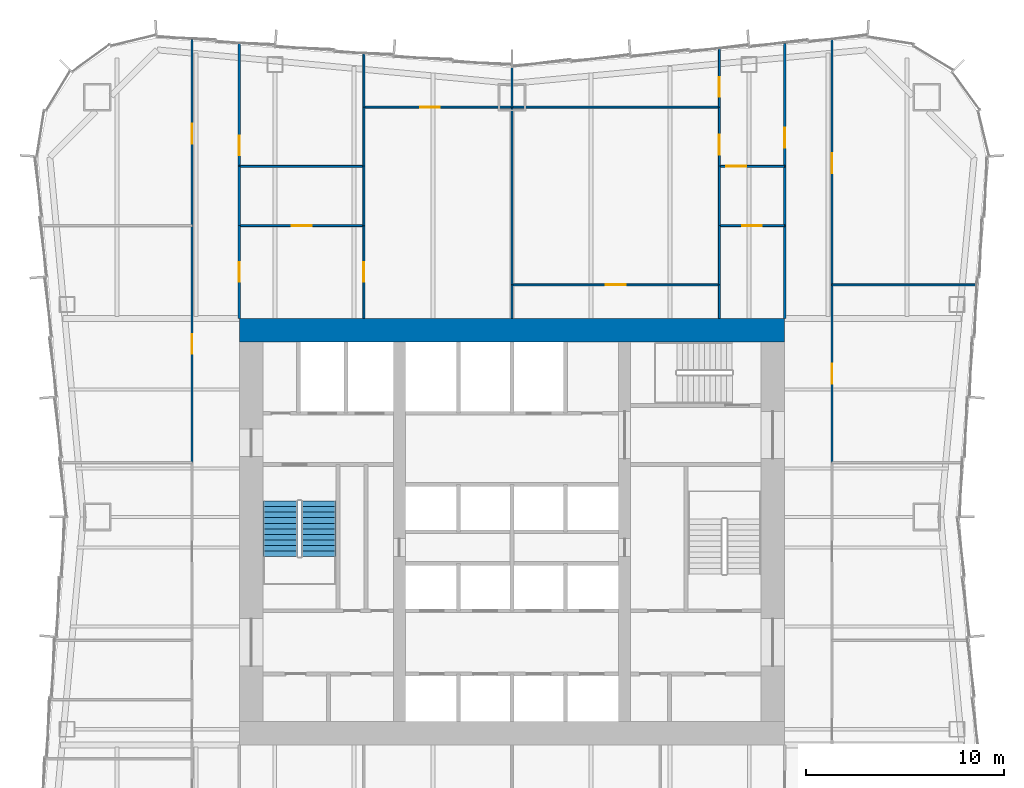
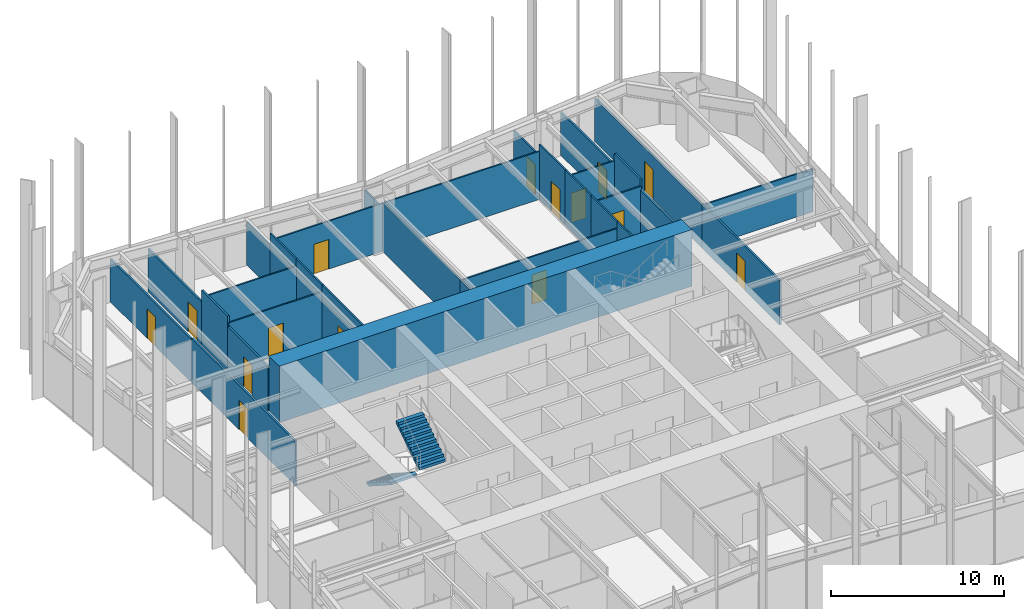
# One storey, part 11 of 13: 31 walls, 15 doors, 2 stair flights, 15 openings, 1 element without a shape of its own.
"""IFC4 building model written with IfcOpenShell, lengths in metres."""

from ifc_helpers import new_model, si_unit, direction, frame, frame_2d, origin, place, context, subcontext, project, spatial, polyline, rectangle, outline, extrude, material, layer, layer_set, type_object, element, fill, aggregate, save


model = new_model("IFC4")

# Units and contexts
model_context = context("Model", 3, precision=1e-05, world=origin(), true_north=direction((0.0, 1.0)))
body_context = subcontext(model_context, "Body", "Model", "MODEL_VIEW")
ifc_project = project(units=[si_unit("LENGTHUNIT", "METRE"), si_unit("AREAUNIT", "SQUARE_METRE"), si_unit("VOLUMEUNIT", "CUBIC_METRE"), si_unit("PLANEANGLEUNIT", "RADIAN"), si_unit("MASSUNIT", "GRAM", prefix="KILO")], contexts=[model_context])

# Site, building, storey
site_placement = place(None, origin())
site = spatial("IfcSite", under=ifc_project, at=site_placement, CompositionType="ELEMENT")
building_placement = place(site_placement, origin())
building = spatial("IfcBuilding", under=site, at=building_placement, Name="Verdant Reach Tower", CompositionType="ELEMENT")
storey_placement = place(building_placement, frame((0.0, 0.0, 94.0)))
storey = spatial("IfcBuildingStorey", under=building, at=storey_placement, Name="L21", CompositionType="ELEMENT", Elevation=94.0)

# Wall
ifc_material_1 = material(Name="Gypsum board on steel studs", Category="steel")
ifc_layer_1 = layer(ifc_material_1, 0.10009765625)
ifc_layer_set_1 = layer_set([ifc_layer_1], Name="FL-W1 Partition 100")
wall_type_1 = type_object("IfcWallType", Name="FL-W1 Partition 100", PredefinedType="PARTITIONING", material=ifc_layer_set_1)
wall_1_placement = place(storey_placement, frame((23.5458984375, 40.5, 0.0), z_axis=(0.0, 0.0, 1.0), x_axis=(-1.0, 0.0, 0.0)))
element("IfcWall", 1, at=wall_1_placement, inside=storey, type_object=wall_type_1, Name="Partition 21.34", PredefinedType="PARTITIONING", context=body_context, shape_type="SweptSolid", body=[
    extrude(rectangle(XDim=7.345947265625, YDim=0.10009765625, at=frame_2d((3.6728515625, 0.0))), origin(), (0.0, 0.0, 1.0), 3.0400390625),
])

# Wall, opening, door
wall_2_placement = place(storey_placement, frame((-13.800048828125, 43.5, 0.0), z_axis=(0.0, 0.0, 1.0), x_axis=(1.0, 0.0, 0.0)))
wall_2 = element("IfcWall", 2, at=wall_2_placement, inside=storey, type_object=wall_type_1, Name="Partition 21.48", PredefinedType="PARTITIONING", context=body_context, shape_type="SweptSolid", body=[
    extrude(rectangle(XDim=6.300048828125, YDim=0.10009765625, at=frame_2d((3.14990234375, 0.0))), origin(), (0.0, 0.0, 1.0), 3.389892578125),
])
opening_1_placement = place(wall_2_placement, frame((2.64990234375, 0.0, 0.0)))
opening_1 = element("IfcOpeningElement", 3, at=opening_1_placement, cuts=wall_2, Name="Opening D3", PredefinedType="OPENING", context=body_context, shape_type="SweptSolid", body=[
    extrude(rectangle(XDim=1.0, YDim=2.10009765625, at=frame_2d((0.5, 1.050048828125))), frame((0.0, 0.06005859375, 0.0), z_axis=(0.0, -1.0, 0.0), x_axis=(1.0, 0.0, 0.0)), (0.0, 0.0, 1.0), 0.1201171875),
])
ifc_material_2 = material(Name="Painted timber door leaf", Category="wood")
door_type_1 = type_object("IfcDoorType", Name="FL-D3 Door 1000x2100", OperationType="NOTDEFINED", PredefinedType="DOOR", material=ifc_material_2)
door_1_placement = place(opening_1_placement, origin())
door_1 = element("IfcDoor", 4, at=door_1_placement, inside=storey, type_object=door_type_1, Name="Door 21-025", OperationType="SINGLE_SWING_LEFT", OverallHeight=2.10009765625, OverallWidth=1.0, PredefinedType="DOOR", context=body_context, shape_type="SweptSolid", body=[
    extrude(rectangle(XDim=1.0, YDim=2.10009765625, at=frame_2d((0.5, 1.050048828125))), frame((0.0, 0.02490234375, 0.0), z_axis=(0.0, -1.0, 0.0), x_axis=(1.0, 0.0, 0.0)), (0.0, 0.0, 1.0), 0.050048828125),
])
fill(opening_1, door_1)

wall_3_placement = place(storey_placement, frame((-7.5, 43.50390625, 0.0), z_axis=(0.0, 0.0, 1.0), x_axis=(0.0, -1.0, 0.0)))
wall_3 = element("IfcWall", 5, at=wall_3_placement, inside=storey, type_object=wall_type_1, Name="Partition 21.49", PredefinedType="PARTITIONING", context=body_context, shape_type="SweptSolid", body=[
    extrude(rectangle(XDim=4.703857421875, YDim=0.10009765625, at=frame_2d((2.35205078125, 0.0))), origin(), (0.0, 0.0, 1.0), 3.8701171875),
])
opening_2_placement = place(wall_3_placement, frame((1.85205078125, 0.0, 0.0)))
opening_2 = element("IfcOpeningElement", 6, at=opening_2_placement, cuts=wall_3, Name="Opening D3", PredefinedType="OPENING", context=body_context, shape_type="SweptSolid", body=[
    extrude(rectangle(XDim=1.0, YDim=2.10009765625, at=frame_2d((0.5, 1.050048828125))), frame((0.0, 0.06005859375, 0.0), z_axis=(0.0, -1.0, 0.0), x_axis=(1.0, 0.0, 0.0)), (0.0, 0.0, 1.0), 0.1201171875),
])
door_2_placement = place(opening_2_placement, origin())
door_2 = element("IfcDoor", 7, at=door_2_placement, inside=storey, type_object=door_type_1, Name="Door 21-026", OperationType="SINGLE_SWING_RIGHT", OverallHeight=2.10009765625, OverallWidth=1.0, PredefinedType="DOOR", context=body_context, shape_type="SweptSolid", body=[
    extrude(rectangle(XDim=1.0, YDim=2.10009765625, at=frame_2d((0.5, 1.050048828125))), frame((0.0, 0.02490234375, 0.0), z_axis=(0.0, -1.0, 0.0), x_axis=(1.0, 0.0, 0.0)), (0.0, 0.0, 1.0), 0.050048828125),
])
fill(opening_2, door_2)

# Walls
wall_4_placement = place(storey_placement, frame((-7.5, 46.5, 0.0), z_axis=(0.0, 0.0, 1.0), x_axis=(-1.0, 0.0, 0.0)))
element("IfcWall", 8, at=wall_4_placement, inside=storey, type_object=wall_type_1, Name="Partition 21.50", PredefinedType="PARTITIONING", context=body_context, shape_type="SweptSolid", body=[
    extrude(rectangle(XDim=6.300048828125, YDim=0.10009765625, at=frame_2d((3.14990234375, 0.0))), origin(), (0.0, 0.0, 1.0), 3.389892578125),
])
wall_5_placement = place(storey_placement, frame((-7.5, 43.49609375, 0.0), z_axis=(0.0, 0.0, 1.0), x_axis=(0.0, 1.0, 0.0)))
element("IfcWall", 9, at=wall_5_placement, inside=storey, type_object=wall_type_1, Name="Partition 21.51", PredefinedType="PARTITIONING", context=body_context, shape_type="SweptSolid", body=[
    extrude(rectangle(XDim=3.0078125, YDim=0.10009765625, at=frame_2d((1.50390625, 0.0))), origin(), (0.0, 0.0, 1.0), 3.8701171875),
])
wall_6_placement = place(storey_placement, frame((-7.5, 46.49609375, 0.0), z_axis=(0.0, 0.0, 1.0), x_axis=(0.0, 1.0, 0.0)))
element("IfcWall", 10, at=wall_6_placement, inside=storey, type_object=wall_type_1, Name="Partition 21.52", PredefinedType="PARTITIONING", context=body_context, shape_type="SweptSolid", body=[
    extrude(rectangle(XDim=3.00390625, YDim=0.10009765625, at=frame_2d((1.501953125, 0.0))), origin(), (0.0, 0.0, 1.0), 3.8701171875),
])
wall_7_placement = place(storey_placement, frame((-7.5, 49.5, 0.0), z_axis=(0.0, 0.0, 1.0), x_axis=(0.0, 1.0, 0.0)))
element("IfcWall", 11, at=wall_7_placement, inside=storey, type_object=wall_type_1, Name="Partition 21.53", PredefinedType="PARTITIONING", context=body_context, shape_type="SweptSolid", body=[
    extrude(rectangle(XDim=2.705078125, YDim=0.10009765625, at=frame_2d((1.3525390625, 0.0))), origin(), (0.0, 0.0, 1.0), 3.0400390625),
])

# Wall, opening, door
wall_8_placement = place(storey_placement, frame((-7.5, 49.5, 0.0), z_axis=(0.0, 0.0, 1.0), x_axis=(1.0, 0.0, 0.0)))
wall_8 = element("IfcWall", 12, at=wall_8_placement, inside=storey, type_object=wall_type_1, Name="Partition 21.54", PredefinedType="PARTITIONING", context=body_context, shape_type="SweptSolid", body=[
    extrude(rectangle(XDim=7.5, YDim=0.10009765625, at=frame_2d((3.75, 0.0))), origin(), (0.0, 0.0, 1.0), 3.389892578125),
])
opening_3_placement = place(wall_8_placement, frame((2.85009765625, 0.0, 0.0)))
opening_3 = element("IfcOpeningElement", 13, at=opening_3_placement, cuts=wall_8, Name="Opening D3", PredefinedType="OPENING", context=body_context, shape_type="SweptSolid", body=[
    extrude(rectangle(XDim=1.0, YDim=2.10009765625, at=frame_2d((0.5, 1.050048828125))), frame((0.0, 0.06005859375, 0.0), z_axis=(0.0, -1.0, 0.0), x_axis=(1.0, 0.0, 0.0)), (0.0, 0.0, 1.0), 0.1201171875),
])
door_3_placement = place(opening_3_placement, origin())
door_3 = element("IfcDoor", 14, at=door_3_placement, inside=storey, type_object=door_type_1, Name="Door 21-027", OperationType="SINGLE_SWING_LEFT", OverallHeight=2.10009765625, OverallWidth=1.0, PredefinedType="DOOR", context=body_context, shape_type="SweptSolid", body=[
    extrude(rectangle(XDim=1.0, YDim=2.10009765625, at=frame_2d((0.5, 1.050048828125))), frame((0.0, 0.02490234375, 0.0), z_axis=(0.0, -1.0, 0.0), x_axis=(1.0, 0.0, 0.0)), (0.0, 0.0, 1.0), 0.050048828125),
])
fill(opening_3, door_3)

# Walls
wall_9_placement = place(storey_placement, frame((0.0, 38.800048828125, 0.0), z_axis=(0.0, 0.0, 1.0), x_axis=(0.0, 1.0, 0.0)))
element("IfcWall", 15, at=wall_9_placement, inside=storey, type_object=wall_type_1, Name="Partition 21.55", PredefinedType="PARTITIONING", context=body_context, shape_type="SweptSolid", body=[
    extrude(rectangle(XDim=1.699951171875, YDim=0.10009765625, at=frame_2d((0.85009765625, 0.0))), origin(), (0.0, 0.0, 1.0), 3.43994140625),
])
wall_10_placement = place(storey_placement, frame((0.0, 40.5, 0.0), z_axis=(0.0, 0.0, 1.0), x_axis=(0.0, 1.0, 0.0)))
element("IfcWall", 16, at=wall_10_placement, inside=storey, type_object=wall_type_1, Name="Partition 21.56", PredefinedType="PARTITIONING", context=body_context, shape_type="SweptSolid", body=[
    extrude(rectangle(XDim=9.0, YDim=0.10009765625, at=frame_2d((4.5, 0.0))), origin(), (0.0, 0.0, 1.0), 3.43994140625),
])
wall_11_placement = place(storey_placement, frame((0.0, 49.5, 0.0), z_axis=(0.0, 0.0, 1.0), x_axis=(0.0, 1.0, 0.0)))
element("IfcWall", 17, at=wall_11_placement, inside=storey, type_object=wall_type_1, Name="Partition 21.57", PredefinedType="PARTITIONING", context=body_context, shape_type="SweptSolid", body=[
    extrude(rectangle(XDim=2.080078125, YDim=0.10009765625, at=frame_2d((1.0400390625, 0.0))), origin(), (0.0, 0.0, 1.0), 3.0400390625),
])

# Wall, opening, door
wall_12_placement = place(storey_placement, frame((13.800048828125, 43.5, 0.0), z_axis=(0.0, 0.0, 1.0), x_axis=(-1.0, 0.0, 0.0)))
wall_12 = element("IfcWall", 18, at=wall_12_placement, inside=storey, type_object=wall_type_1, Name="Partition 21.58", PredefinedType="PARTITIONING", context=body_context, shape_type="SweptSolid", body=[
    extrude(rectangle(XDim=3.300048828125, YDim=0.10009765625, at=frame_2d((1.64990234375, 0.0))), origin(), (0.0, 0.0, 1.0), 3.389892578125),
])
opening_4_placement = place(wall_12_placement, frame((1.14990234375, 0.0, 0.0)))
opening_4 = element("IfcOpeningElement", 19, at=opening_4_placement, cuts=wall_12, Name="Opening D3", PredefinedType="OPENING", context=body_context, shape_type="SweptSolid", body=[
    extrude(rectangle(XDim=1.0, YDim=2.10009765625, at=frame_2d((0.5, 1.050048828125))), frame((0.0, 0.06005859375, 0.0), z_axis=(0.0, -1.0, 0.0), x_axis=(1.0, 0.0, 0.0)), (0.0, 0.0, 1.0), 0.1201171875),
])
door_4_placement = place(opening_4_placement, origin())
door_4 = element("IfcDoor", 20, at=door_4_placement, inside=storey, type_object=door_type_1, Name="Door 21-028", OperationType="SINGLE_SWING_RIGHT", OverallHeight=2.10009765625, OverallWidth=1.0, PredefinedType="DOOR", context=body_context, shape_type="SweptSolid", body=[
    extrude(rectangle(XDim=1.0, YDim=2.10009765625, at=frame_2d((0.5, 1.050048828125))), frame((0.0, 0.02490234375, 0.0), z_axis=(0.0, -1.0, 0.0), x_axis=(1.0, 0.0, 0.0)), (0.0, 0.0, 1.0), 0.050048828125),
])
fill(opening_4, door_4)

# Walls
wall_13_placement = place(storey_placement, frame((10.5, 40.5, 0.0), z_axis=(0.0, 0.0, 1.0), x_axis=(0.0, -1.0, 0.0)))
element("IfcWall", 21, at=wall_13_placement, inside=storey, type_object=wall_type_1, Name="Partition 21.59", PredefinedType="PARTITIONING", context=body_context, shape_type="SweptSolid", body=[
    extrude(rectangle(XDim=1.699951171875, YDim=0.10009765625, at=frame_2d((0.85009765625, 0.0))), origin(), (0.0, 0.0, 1.0), 3.8701171875),
])
wall_14_placement = place(storey_placement, frame((10.5, 43.50390625, 0.0), z_axis=(0.0, 0.0, 1.0), x_axis=(0.0, -1.0, 0.0)))
element("IfcWall", 22, at=wall_14_placement, inside=storey, type_object=wall_type_1, Name="Partition 21.60", PredefinedType="PARTITIONING", context=body_context, shape_type="SweptSolid", body=[
    extrude(rectangle(XDim=3.00390625, YDim=0.10009765625, at=frame_2d((1.501953125, 0.0))), origin(), (0.0, 0.0, 1.0), 3.8701171875),
])

# Wall, opening, door
wall_15_placement = place(storey_placement, frame((13.800048828125, 46.5, 0.0), z_axis=(0.0, 0.0, 1.0), x_axis=(-1.0, 0.0, 0.0)))
wall_15 = element("IfcWall", 23, at=wall_15_placement, inside=storey, type_object=wall_type_1, Name="Partition 21.61", PredefinedType="PARTITIONING", context=body_context, shape_type="SweptSolid", body=[
    extrude(rectangle(XDim=3.300048828125, YDim=0.10009765625, at=frame_2d((1.64990234375, 0.0))), origin(), (0.0, 0.0, 1.0), 3.389892578125),
])
opening_5_placement = place(wall_15_placement, frame((1.949951171875, 0.0, 0.0)))
opening_5 = element("IfcOpeningElement", 24, at=opening_5_placement, cuts=wall_15, Name="Opening D3", PredefinedType="OPENING", context=body_context, shape_type="SweptSolid", body=[
    extrude(rectangle(XDim=1.0, YDim=2.10009765625, at=frame_2d((0.5, 1.050048828125))), frame((0.0, 0.06005859375, 0.0), z_axis=(0.0, -1.0, 0.0), x_axis=(1.0, 0.0, 0.0)), (0.0, 0.0, 1.0), 0.1201171875),
])
door_5_placement = place(opening_5_placement, origin())
door_5 = element("IfcDoor", 25, at=door_5_placement, inside=storey, type_object=door_type_1, Name="Door 21-029", OperationType="SINGLE_SWING_RIGHT", OverallHeight=2.10009765625, OverallWidth=1.0, PredefinedType="DOOR", context=body_context, shape_type="SweptSolid", body=[
    extrude(rectangle(XDim=1.0, YDim=2.10009765625, at=frame_2d((0.5, 1.050048828125))), frame((0.0, 0.02490234375, 0.0), z_axis=(0.0, -1.0, 0.0), x_axis=(1.0, 0.0, 0.0)), (0.0, 0.0, 1.0), 0.050048828125),
])
fill(opening_5, door_5)

# Wall
wall_16_placement = place(storey_placement, frame((10.5, 46.50390625, 0.0), z_axis=(0.0, 0.0, 1.0), x_axis=(0.0, -1.0, 0.0)))
element("IfcWall", 26, at=wall_16_placement, inside=storey, type_object=wall_type_1, Name="Partition 21.62", PredefinedType="PARTITIONING", context=body_context, shape_type="SweptSolid", body=[
    extrude(rectangle(XDim=3.0078125, YDim=0.10009765625, at=frame_2d((1.50390625, 0.0))), origin(), (0.0, 0.0, 1.0), 3.8701171875),
])

# Wall, opening, door
wall_17_placement = place(storey_placement, frame((10.5, 46.49609375, 0.0), z_axis=(0.0, 0.0, 1.0), x_axis=(0.0, 1.0, 0.0)))
wall_17 = element("IfcWall", 27, at=wall_17_placement, inside=storey, type_object=wall_type_1, Name="Partition 21.63", PredefinedType="PARTITIONING", context=body_context, shape_type="SweptSolid", body=[
    extrude(rectangle(XDim=3.00390625, YDim=0.10009765625, at=frame_2d((1.501953125, 0.0))), origin(), (0.0, 0.0, 1.0), 3.8701171875),
])
opening_6_placement = place(wall_17_placement, frame((0.60205078125, 0.0, 0.0)))
opening_6 = element("IfcOpeningElement", 28, at=opening_6_placement, cuts=wall_17, Name="Opening D3", PredefinedType="OPENING", context=body_context, shape_type="SweptSolid", body=[
    extrude(rectangle(XDim=1.0, YDim=2.10009765625, at=frame_2d((0.5, 1.050048828125))), frame((0.0, 0.06005859375, 0.0), z_axis=(0.0, -1.0, 0.0), x_axis=(1.0, 0.0, 0.0)), (0.0, 0.0, 1.0), 0.1201171875),
])
door_6_placement = place(opening_6_placement, origin())
door_6 = element("IfcDoor", 29, at=door_6_placement, inside=storey, type_object=door_type_1, Name="Door 21-030", OperationType="SINGLE_SWING_LEFT", OverallHeight=2.10009765625, OverallWidth=1.0, PredefinedType="DOOR", context=body_context, shape_type="SweptSolid", body=[
    extrude(rectangle(XDim=1.0, YDim=2.10009765625, at=frame_2d((0.5, 1.050048828125))), frame((0.0, 0.02490234375, 0.0), z_axis=(0.0, -1.0, 0.0), x_axis=(1.0, 0.0, 0.0)), (0.0, 0.0, 1.0), 0.050048828125),
])
fill(opening_6, door_6)

wall_18_placement = place(storey_placement, frame((10.5, 49.5, 0.0), z_axis=(0.0, 0.0, 1.0), x_axis=(0.0, 1.0, 0.0)))
wall_18 = element("IfcWall", 30, at=wall_18_placement, inside=storey, type_object=wall_type_1, Name="Partition 21.64", PredefinedType="PARTITIONING", context=body_context, shape_type="SweptSolid", body=[
    extrude(rectangle(XDim=2.955078125, YDim=0.10009765625, at=frame_2d((1.4775390625, 0.0))), origin(), (0.0, 0.0, 1.0), 3.0400390625),
])
opening_7_placement = place(wall_18_placement, frame((0.512451171875, 0.0, 0.0)))
opening_7 = element("IfcOpeningElement", 31, at=opening_7_placement, cuts=wall_18, Name="Opening D3", PredefinedType="OPENING", context=body_context, shape_type="SweptSolid", body=[
    extrude(rectangle(XDim=1.0, YDim=2.10009765625, at=frame_2d((0.5, 1.050048828125))), frame((0.0, 0.06005859375, 0.0), z_axis=(0.0, -1.0, 0.0), x_axis=(1.0, 0.0, 0.0)), (0.0, 0.0, 1.0), 0.1201171875),
])
door_7_placement = place(opening_7_placement, origin())
door_7 = element("IfcDoor", 32, at=door_7_placement, inside=storey, type_object=door_type_1, Name="Door 21-031", OperationType="SINGLE_SWING_LEFT", OverallHeight=2.10009765625, OverallWidth=1.0, PredefinedType="DOOR", context=body_context, shape_type="SweptSolid", body=[
    extrude(rectangle(XDim=1.0, YDim=2.10009765625, at=frame_2d((0.5, 1.050048828125))), frame((0.0, 0.02490234375, 0.0), z_axis=(0.0, -1.0, 0.0), x_axis=(1.0, 0.0, 0.0)), (0.0, 0.0, 1.0), 0.050048828125),
])
fill(opening_7, door_7)

wall_19_placement = place(storey_placement, frame((10.5, 40.5, 0.0), z_axis=(0.0, 0.0, 1.0), x_axis=(-1.0, 0.0, 0.0)))
wall_19 = element("IfcWall", 33, at=wall_19_placement, inside=storey, type_object=wall_type_1, Name="Partition 21.65", PredefinedType="PARTITIONING", context=body_context, shape_type="SweptSolid", body=[
    extrude(rectangle(XDim=10.5, YDim=0.10009765625, at=frame_2d((5.25, 0.0))), origin(), (0.0, 0.0, 1.0), 3.389892578125),
])
opening_8_placement = place(wall_19_placement, frame((4.75, 0.0, 0.0)))
opening_8 = element("IfcOpeningElement", 34, at=opening_8_placement, cuts=wall_19, Name="Opening D3", PredefinedType="OPENING", context=body_context, shape_type="SweptSolid", body=[
    extrude(rectangle(XDim=1.0, YDim=2.10009765625, at=frame_2d((0.5, 1.050048828125))), frame((0.0, 0.06005859375, 0.0), z_axis=(0.0, -1.0, 0.0), x_axis=(1.0, 0.0, 0.0)), (0.0, 0.0, 1.0), 0.1201171875),
])
door_8_placement = place(opening_8_placement, origin())
door_8 = element("IfcDoor", 35, at=door_8_placement, inside=storey, type_object=door_type_1, Name="Door 21-032", OperationType="SINGLE_SWING_RIGHT", OverallHeight=2.10009765625, OverallWidth=1.0, PredefinedType="DOOR", context=body_context, shape_type="SweptSolid", body=[
    extrude(rectangle(XDim=1.0, YDim=2.10009765625, at=frame_2d((0.5, 1.050048828125))), frame((0.0, 0.02490234375, 0.0), z_axis=(0.0, -1.0, 0.0), x_axis=(1.0, 0.0, 0.0)), (0.0, 0.0, 1.0), 0.050048828125),
])
fill(opening_8, door_8)

# Wall
wall_20_placement = place(storey_placement, frame((10.5, 49.5, 0.0), z_axis=(0.0, 0.0, 1.0), x_axis=(-1.0, 0.0, 0.0)))
element("IfcWall", 36, at=wall_20_placement, inside=storey, type_object=wall_type_1, Name="Partition 21.66", PredefinedType="PARTITIONING", context=body_context, shape_type="SweptSolid", body=[
    extrude(rectangle(XDim=10.5, YDim=0.10009765625, at=frame_2d((5.25, 0.0))), origin(), (0.0, 0.0, 1.0), 3.389892578125),
])

# Wall, opening, door
ifc_material_3 = material(Name="Gypsum board on steel studs, fire rated", Category="steel")
ifc_layer_2 = layer(ifc_material_3, 0.125)
ifc_layer_set_2 = layer_set([ifc_layer_2], Name="FL-W2 Corridor wall 125")
wall_type_2 = type_object("IfcWallType", Name="FL-W2 Corridor wall 125", PredefinedType="PARTITIONING", material=ifc_layer_set_2)
wall_21_placement = place(storey_placement, frame((-16.199951171875, 31.5, 0.0), z_axis=(0.0, 0.0, 1.0), x_axis=(0.0, 1.0, 0.0)))
wall_21 = element("IfcWall", 37, at=wall_21_placement, inside=storey, type_object=wall_type_2, Name="Partition 21.06", PredefinedType="PARTITIONING", context=body_context, shape_type="SweptSolid", body=[
    extrude(rectangle(XDim=12.0, YDim=0.125, at=frame_2d((6.0, 0.0))), origin(), (0.0, 0.0, 1.0), 3.139892578125),
])
opening_9_placement = place(wall_21_placement, frame((5.5, 0.0, 0.0)))
opening_9 = element("IfcOpeningElement", 38, at=opening_9_placement, cuts=wall_21, Name="Opening D2", PredefinedType="OPENING", context=body_context, shape_type="SweptSolid", body=[
    extrude(rectangle(XDim=1.0, YDim=2.10009765625, at=frame_2d((0.5, 1.050048828125))), frame((0.0, 0.072509765625, 0.0), z_axis=(0.0, -1.0, 0.0), x_axis=(1.0, 0.0, 0.0)), (0.0, 0.0, 1.0), 0.14501953125),
])
ifc_material_4 = material(Name="Timber door leaf, fire rated", Category="wood")
door_type_2 = type_object("IfcDoorType", Name="FL-D2 Entrance door 1000x2100 FD30", OperationType="NOTDEFINED", PredefinedType="DOOR", material=ifc_material_4)
door_9_placement = place(opening_9_placement, origin())
door_9 = element("IfcDoor", 39, at=door_9_placement, inside=storey, type_object=door_type_2, Name="Door 21-006", OperationType="SINGLE_SWING_RIGHT", OverallHeight=2.10009765625, OverallWidth=1.0, PredefinedType="DOOR", context=body_context, shape_type="SweptSolid", body=[
    extrude(rectangle(XDim=1.0, YDim=2.10009765625, at=frame_2d((0.5, 1.050048828125))), frame((0.0, 0.02490234375, 0.0), z_axis=(0.0, -1.0, 0.0), x_axis=(1.0, 0.0, 0.0)), (0.0, 0.0, 1.0), 0.050048828125),
])
fill(opening_9, door_9)

wall_22_placement = place(storey_placement, frame((-16.199951171875, 43.5, 0.0), z_axis=(0.0, 0.0, 1.0), x_axis=(0.0, 1.0, 0.0)))
wall_22 = element("IfcWall", 40, at=wall_22_placement, inside=storey, type_object=wall_type_2, Name="Partition 21.07", PredefinedType="PARTITIONING", context=body_context, shape_type="SweptSolid", body=[
    extrude(rectangle(XDim=9.429931640625, YDim=0.125, at=frame_2d((4.71484375, 0.0))), origin(), (0.0, 0.0, 1.0), 3.0400390625),
])
opening_10_placement = place(wall_22_placement, frame((4.14990234375, 0.0, 0.0)))
opening_10 = element("IfcOpeningElement", 41, at=opening_10_placement, cuts=wall_22, Name="Opening D2", PredefinedType="OPENING", context=body_context, shape_type="SweptSolid", body=[
    extrude(rectangle(XDim=1.0, YDim=2.10009765625, at=frame_2d((0.5, 1.050048828125))), frame((0.0, 0.072509765625, 0.0), z_axis=(0.0, -1.0, 0.0), x_axis=(1.0, 0.0, 0.0)), (0.0, 0.0, 1.0), 0.14501953125),
])
door_10_placement = place(opening_10_placement, origin())
door_10 = element("IfcDoor", 42, at=door_10_placement, inside=storey, type_object=door_type_2, Name="Door 21-007", OperationType="SINGLE_SWING_LEFT", OverallHeight=2.10009765625, OverallWidth=1.0, PredefinedType="DOOR", context=body_context, shape_type="SweptSolid", body=[
    extrude(rectangle(XDim=1.0, YDim=2.10009765625, at=frame_2d((0.5, 1.050048828125))), frame((0.0, 0.02490234375, 0.0), z_axis=(0.0, -1.0, 0.0), x_axis=(1.0, 0.0, 0.0)), (0.0, 0.0, 1.0), 0.050048828125),
])
fill(opening_10, door_10)

wall_23_placement = place(storey_placement, frame((-13.800048828125, 43.5, 0.0), z_axis=(0.0, 0.0, 1.0), x_axis=(0.0, -1.0, 0.0)))
wall_23 = element("IfcWall", 43, at=wall_23_placement, inside=storey, type_object=wall_type_2, Name="Partition 21.11", PredefinedType="PARTITIONING", context=body_context, shape_type="SweptSolid", body=[
    extrude(rectangle(XDim=4.699951171875, YDim=0.125, at=frame_2d((2.35009765625, 0.0))), origin(), (0.0, 0.0, 1.0), 3.139892578125),
])
opening_11_placement = place(wall_23_placement, frame((1.85009765625, 0.0, 0.0)))
opening_11 = element("IfcOpeningElement", 44, at=opening_11_placement, cuts=wall_23, Name="Opening D2", PredefinedType="OPENING", context=body_context, shape_type="SweptSolid", body=[
    extrude(rectangle(XDim=1.0, YDim=2.10009765625, at=frame_2d((0.5, 1.050048828125))), frame((0.0, 0.072509765625, 0.0), z_axis=(0.0, -1.0, 0.0), x_axis=(1.0, 0.0, 0.0)), (0.0, 0.0, 1.0), 0.14501953125),
])
door_11_placement = place(opening_11_placement, origin())
door_11 = element("IfcDoor", 45, at=door_11_placement, inside=storey, type_object=door_type_2, Name="Door 21-009", OperationType="SINGLE_SWING_LEFT", OverallHeight=2.10009765625, OverallWidth=1.0, PredefinedType="DOOR", context=body_context, shape_type="SweptSolid", body=[
    extrude(rectangle(XDim=1.0, YDim=2.10009765625, at=frame_2d((0.5, 1.050048828125))), frame((0.0, 0.02490234375, 0.0), z_axis=(0.0, -1.0, 0.0), x_axis=(1.0, 0.0, 0.0)), (0.0, 0.0, 1.0), 0.050048828125),
])
fill(opening_11, door_11)

# Wall
wall_24_placement = place(storey_placement, frame((-13.800048828125, 43.5, 0.0), z_axis=(0.0, 0.0, 1.0), x_axis=(0.0, 1.0, 0.0)))
element("IfcWall", 46, at=wall_24_placement, inside=storey, type_object=wall_type_2, Name="Partition 21.12", PredefinedType="PARTITIONING", context=body_context, shape_type="SweptSolid", body=[
    extrude(rectangle(XDim=3.0, YDim=0.125, at=frame_2d((1.5, 0.0))), origin(), (0.0, 0.0, 1.0), 3.8701171875),
])

# Wall, opening, door
wall_25_placement = place(storey_placement, frame((-13.800048828125, 52.72998046875, 0.0), z_axis=(0.0, 0.0, 1.0), x_axis=(0.0, -1.0, 0.0)))
wall_25 = element("IfcWall", 47, at=wall_25_placement, inside=storey, type_object=wall_type_2, Name="Partition 21.13", PredefinedType="PARTITIONING", context=body_context, shape_type="SweptSolid", body=[
    extrude(rectangle(XDim=6.22998046875, YDim=0.125, at=frame_2d((3.114990234375, 0.0))), origin(), (0.0, 0.0, 1.0), 3.0400390625),
])
opening_12_placement = place(wall_25_placement, frame((4.68017578125, 0.0, 0.0)))
opening_12 = element("IfcOpeningElement", 48, at=opening_12_placement, cuts=wall_25, Name="Opening D2", PredefinedType="OPENING", context=body_context, shape_type="SweptSolid", body=[
    extrude(rectangle(XDim=1.0, YDim=2.10009765625, at=frame_2d((0.5, 1.050048828125))), frame((0.0, 0.072509765625, 0.0), z_axis=(0.0, -1.0, 0.0), x_axis=(1.0, 0.0, 0.0)), (0.0, 0.0, 1.0), 0.14501953125),
])
door_12_placement = place(opening_12_placement, origin())
door_12 = element("IfcDoor", 49, at=door_12_placement, inside=storey, type_object=door_type_2, Name="Door 21-010", OperationType="SINGLE_SWING_RIGHT", OverallHeight=2.10009765625, OverallWidth=1.0, PredefinedType="DOOR", context=body_context, shape_type="SweptSolid", body=[
    extrude(rectangle(XDim=1.0, YDim=2.10009765625, at=frame_2d((0.5, 1.050048828125))), frame((0.0, 0.02490234375, 0.0), z_axis=(0.0, -1.0, 0.0), x_axis=(1.0, 0.0, 0.0)), (0.0, 0.0, 1.0), 0.050048828125),
])
fill(opening_12, door_12)

wall_26_placement = place(storey_placement, frame((16.199951171875, 40.5, 0.0), z_axis=(0.0, 0.0, 1.0), x_axis=(0.0, -1.0, 0.0)))
wall_26 = element("IfcWall", 50, at=wall_26_placement, inside=storey, type_object=wall_type_2, Name="Partition 21.17", PredefinedType="PARTITIONING", context=body_context, shape_type="SweptSolid", body=[
    extrude(rectangle(XDim=9.0, YDim=0.125, at=frame_2d((4.5, 0.0))), origin(), (0.0, 0.0, 1.0), 3.139892578125),
])
opening_13_placement = place(wall_26_placement, frame((4.0, 0.0, 0.0)))
opening_13 = element("IfcOpeningElement", 51, at=opening_13_placement, cuts=wall_26, Name="Opening D2", PredefinedType="OPENING", context=body_context, shape_type="SweptSolid", body=[
    extrude(rectangle(XDim=1.0, YDim=2.10009765625, at=frame_2d((0.5, 1.050048828125))), frame((0.0, 0.072509765625, 0.0), z_axis=(0.0, -1.0, 0.0), x_axis=(1.0, 0.0, 0.0)), (0.0, 0.0, 1.0), 0.14501953125),
])
door_13_placement = place(opening_13_placement, origin())
door_13 = element("IfcDoor", 52, at=door_13_placement, inside=storey, type_object=door_type_2, Name="Door 21-014", OperationType="SINGLE_SWING_RIGHT", OverallHeight=2.10009765625, OverallWidth=1.0, PredefinedType="DOOR", context=body_context, shape_type="SweptSolid", body=[
    extrude(rectangle(XDim=1.0, YDim=2.10009765625, at=frame_2d((0.5, 1.050048828125))), frame((0.0, 0.02490234375, 0.0), z_axis=(0.0, -1.0, 0.0), x_axis=(1.0, 0.0, 0.0)), (0.0, 0.0, 1.0), 0.050048828125),
])
fill(opening_13, door_13)

wall_27_placement = place(storey_placement, frame((16.199951171875, 52.929931640625, 0.0), z_axis=(0.0, 0.0, 1.0), x_axis=(0.0, -1.0, 0.0)))
wall_27 = element("IfcWall", 53, at=wall_27_placement, inside=storey, type_object=wall_type_2, Name="Partition 21.18", PredefinedType="PARTITIONING", context=body_context, shape_type="SweptSolid", body=[
    extrude(rectangle(XDim=12.429931640625, YDim=0.125, at=frame_2d((6.21484375, 0.0))), origin(), (0.0, 0.0, 1.0), 3.0400390625),
])
opening_14_placement = place(wall_27_placement, frame((5.780029296875, 0.0, 0.0)))
opening_14 = element("IfcOpeningElement", 54, at=opening_14_placement, cuts=wall_27, Name="Opening D2", PredefinedType="OPENING", context=body_context, shape_type="SweptSolid", body=[
    extrude(rectangle(XDim=1.0, YDim=2.10009765625, at=frame_2d((0.5, 1.050048828125))), frame((0.0, 0.072509765625, 0.0), z_axis=(0.0, -1.0, 0.0), x_axis=(1.0, 0.0, 0.0)), (0.0, 0.0, 1.0), 0.14501953125),
])
door_14_placement = place(opening_14_placement, origin())
door_14 = element("IfcDoor", 55, at=door_14_placement, inside=storey, type_object=door_type_2, Name="Door 21-015", OperationType="SINGLE_SWING_RIGHT", OverallHeight=2.10009765625, OverallWidth=1.0, PredefinedType="DOOR", context=body_context, shape_type="SweptSolid", body=[
    extrude(rectangle(XDim=1.0, YDim=2.10009765625, at=frame_2d((0.5, 1.050048828125))), frame((0.0, 0.02490234375, 0.0), z_axis=(0.0, -1.0, 0.0), x_axis=(1.0, 0.0, 0.0)), (0.0, 0.0, 1.0), 0.050048828125),
])
fill(opening_14, door_14)

# Walls
wall_28_placement = place(storey_placement, frame((13.800048828125, 43.5, 0.0), z_axis=(0.0, 0.0, 1.0), x_axis=(0.0, -1.0, 0.0)))
element("IfcWall", 56, at=wall_28_placement, inside=storey, type_object=wall_type_2, Name="Partition 21.22", PredefinedType="PARTITIONING", context=body_context, shape_type="SweptSolid", body=[
    extrude(rectangle(XDim=4.699951171875, YDim=0.125, at=frame_2d((2.35009765625, 0.0))), origin(), (0.0, 0.0, 1.0), 3.139892578125),
])
wall_29_placement = place(storey_placement, frame((13.800048828125, 46.5, 0.0), z_axis=(0.0, 0.0, 1.0), x_axis=(0.0, -1.0, 0.0)))
element("IfcWall", 57, at=wall_29_placement, inside=storey, type_object=wall_type_2, Name="Partition 21.23", PredefinedType="PARTITIONING", context=body_context, shape_type="SweptSolid", body=[
    extrude(rectangle(XDim=3.0, YDim=0.125, at=frame_2d((1.5, 0.0))), origin(), (0.0, 0.0, 1.0), 3.8701171875),
])

# Wall, opening, door
wall_30_placement = place(storey_placement, frame((13.800048828125, 46.5, 0.0), z_axis=(0.0, 0.0, 1.0), x_axis=(0.0, 1.0, 0.0)))
wall_30 = element("IfcWall", 58, at=wall_30_placement, inside=storey, type_object=wall_type_2, Name="Partition 21.24", PredefinedType="PARTITIONING", context=body_context, shape_type="SweptSolid", body=[
    extrude(rectangle(XDim=6.22998046875, YDim=0.125, at=frame_2d((3.114990234375, 0.0))), origin(), (0.0, 0.0, 1.0), 3.0400390625),
])
opening_15_placement = place(wall_30_placement, frame((0.949951171875, 0.0, 0.0)))
opening_15 = element("IfcOpeningElement", 59, at=opening_15_placement, cuts=wall_30, Name="Opening D2", PredefinedType="OPENING", context=body_context, shape_type="SweptSolid", body=[
    extrude(rectangle(XDim=1.0, YDim=2.10009765625, at=frame_2d((0.5, 1.050048828125))), frame((0.0, 0.072509765625, 0.0), z_axis=(0.0, -1.0, 0.0), x_axis=(1.0, 0.0, 0.0)), (0.0, 0.0, 1.0), 0.14501953125),
])
door_15_placement = place(opening_15_placement, origin())
door_15 = element("IfcDoor", 60, at=door_15_placement, inside=storey, type_object=door_type_2, Name="Door 21-018", OperationType="SINGLE_SWING_LEFT", OverallHeight=2.10009765625, OverallWidth=1.0, PredefinedType="DOOR", context=body_context, shape_type="SweptSolid", body=[
    extrude(rectangle(XDim=1.0, YDim=2.10009765625, at=frame_2d((0.5, 1.050048828125))), frame((0.0, 0.02490234375, 0.0), z_axis=(0.0, -1.0, 0.0), x_axis=(1.0, 0.0, 0.0)), (0.0, 0.0, 1.0), 0.050048828125),
])
fill(opening_15, door_15)

# Wall
ifc_material_5 = material(Name="Concrete C70/85", Category="concrete")
ifc_layer_3 = layer(ifc_material_5, 1.199951171875)
ifc_layer_set_3 = layer_set([ifc_layer_3], Name="ST-CORE-WALL-1200")
wall_type_3 = type_object("IfcWallType", Name="ST-CORE-WALL-1200", PredefinedType="SHEAR", material=ifc_layer_set_3)
wall_31_placement = place(storey_placement, frame((-13.800048828125, 38.199951171875, -0.1298828125), z_axis=(0.0, 0.0, 1.0), x_axis=(1.0, 0.0, 0.0)))
element("IfcWall", 61, at=wall_31_placement, inside=storey, type_object=wall_type_3, Name="Core wall N, L21", PredefinedType="SHEAR", context=body_context, shape_type="SweptSolid", body=[
    extrude(rectangle(XDim=27.60009765625, YDim=1.199951171875, at=frame_2d((13.800048828125, 0.0))), origin(), (0.0, 0.0, 1.0), 4.0),
])

# Stair, stair flights
ifc_material_6 = material(Name="Concrete C40/50", Category="concrete")
stair_type = type_object("IfcStairType", Name="CO-STAIR", PredefinedType="HALF_TURN_STAIR", material=ifc_material_6)
stair_placement = place(storey_placement, origin())
stair = element("IfcStair", 62, at=stair_placement, inside=storey, type_object=stair_type, Name="L21 Exit stair 1", PredefinedType="HALF_TURN_STAIR")
stair_flight_type = type_object("IfcStairFlightType", Name="CO-STAIR-FLIGHT", PredefinedType="STRAIGHT", material=ifc_material_6)
stair_flight_1_placement = place(storey_placement, frame((-11.72509765625, 29.550048828125, 0.0), z_axis=(0.0, 0.0, 1.0), x_axis=(0.0, -1.0, 0.0)))
stair_flight_1 = element("IfcStairFlight", 63, at=stair_flight_1_placement, type_object=stair_flight_type, Name="ST-1 flight 1", NumberOfRisers=11, NumberOfTreads=10, PredefinedType="STRAIGHT", RiserHeight=0.181818182, TreadLength=0.28, context=body_context, shape_type="SweptSolid", body=[
    extrude(outline(polyline([(0.0, 0.0), (0.0, 0.181884765625), (0.280029296875, 0.181884765625), (0.280029296875, 0.363525390625), (0.56005859375, 0.363525390625), (0.56005859375, 0.54541015625), (0.840087890625, 0.54541015625), (0.840087890625, 0.727294921875), (1.1201171875, 0.727294921875), (1.1201171875, 0.9091796875), (1.39990234375, 0.9091796875), (1.39990234375, 1.0908203125), (1.679931640625, 1.0908203125), (1.679931640625, 1.272705078125), (1.9599609375, 1.272705078125), (1.9599609375, 1.45458984375), (2.239990234375, 1.45458984375), (2.239990234375, 1.636474609375), (2.52001953125, 1.636474609375), (2.52001953125, 1.818115234375), (2.800048828125, 1.818115234375), (2.800048828125, 2.0), (2.800048828125, 1.639404296875), (0.275146484375, 0.0), (0.0, 0.0)])), frame((0.0, 0.875, 0.0), z_axis=(0.0, -1.0, 0.0), x_axis=(1.0, 0.0, 0.0)), (0.0, 0.0, 1.0), 1.75),
])
stair_flight_2_placement = place(storey_placement, frame((-9.77490234375, 26.75, 2.0), z_axis=(0.0, 0.0, 1.0), x_axis=(0.0, 1.0, 0.0)))
stair_flight_2 = element("IfcStairFlight", 64, at=stair_flight_2_placement, type_object=stair_flight_type, Name="ST-1 flight 2", NumberOfRisers=11, NumberOfTreads=10, PredefinedType="STRAIGHT", RiserHeight=0.181818182, TreadLength=0.28, context=body_context, shape_type="SweptSolid", body=[
    extrude(outline(polyline([(0.0, 0.0), (0.0, 0.181884765625), (0.280029296875, 0.181884765625), (0.280029296875, 0.363525390625), (0.56005859375, 0.363525390625), (0.56005859375, 0.54541015625), (0.840087890625, 0.54541015625), (0.840087890625, 0.727294921875), (1.1201171875, 0.727294921875), (1.1201171875, 0.9091796875), (1.39990234375, 0.9091796875), (1.39990234375, 1.0908203125), (1.679931640625, 1.0908203125), (1.679931640625, 1.272705078125), (1.9599609375, 1.272705078125), (1.9599609375, 1.45458984375), (2.239990234375, 1.45458984375), (2.239990234375, 1.636474609375), (2.52001953125, 1.636474609375), (2.52001953125, 1.818115234375), (2.800048828125, 1.818115234375), (2.800048828125, 2.0), (2.800048828125, 1.639404296875), (0.275146484375, 0.0), (0.0, 0.0)])), frame((0.0, 0.875, 0.0), z_axis=(0.0, -1.0, 0.0), x_axis=(1.0, 0.0, 0.0)), (0.0, 0.0, 1.0), 1.75),
])
aggregate(stair, [stair_flight_1, stair_flight_2])

save(model, "model.ifc")
